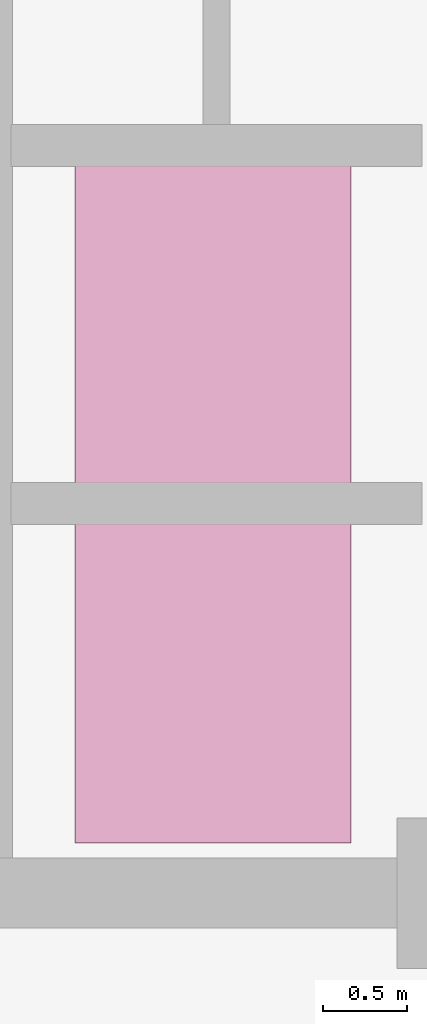
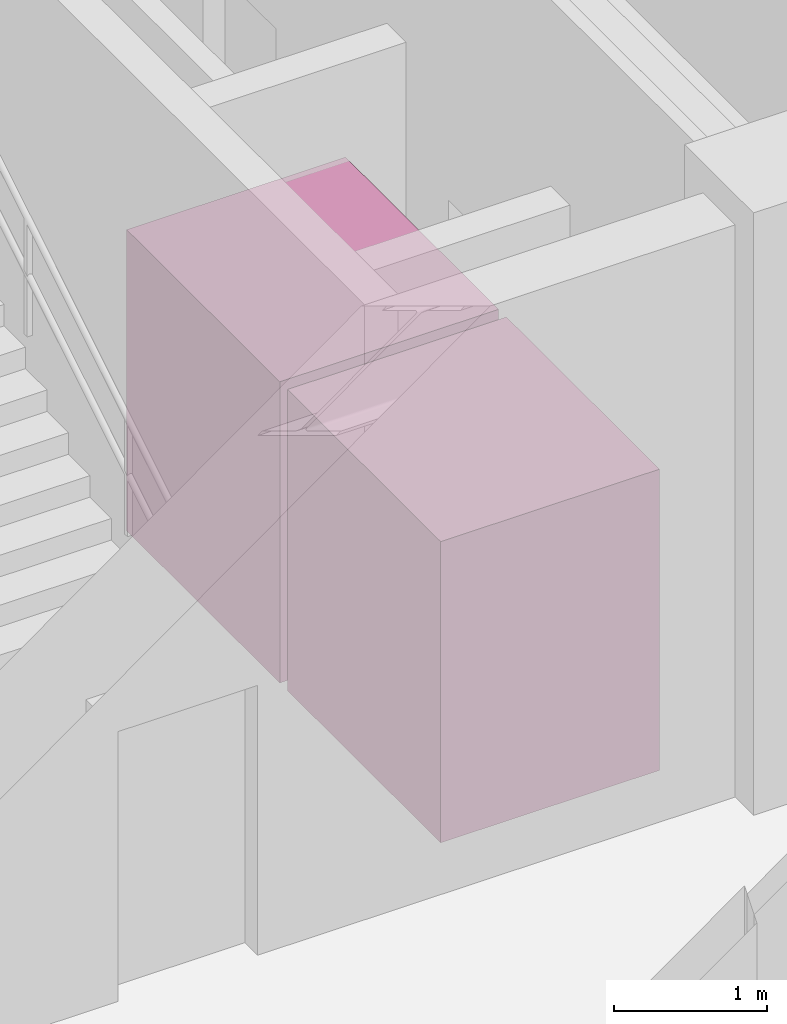
# One storey, part 16 of 16: 2 transport elements.
"""IFC4 building model written with IfcOpenShell, lengths in metres."""

from ifc_helpers import new_model, entity, si_unit, converted_unit, direction, frame, origin_with_axes, origin_2d_with_axis, place, context, subcontext, project, spatial, rectangle, extrude, material, type_object, element, save


model = new_model("IFC4")

# Units and contexts
model_context = context("Model", 3, precision=1e-05, world=origin_with_axes(), true_north=direction((0.0, 1.0)))
body_context = subcontext(model_context, "Body", "Model", "MODEL_VIEW")
ifc_project = project(units=[si_unit("LENGTHUNIT", "METRE"), si_unit("AREAUNIT", "SQUARE_METRE"), si_unit("VOLUMEUNIT", "CUBIC_METRE"), converted_unit("PLANEANGLEUNIT", "DEGREE", entity("IfcPlaneAngleMeasure", 0.017453292519943295), si_unit("PLANEANGLEUNIT", "RADIAN"), dimensions=[0, 0, 0, 0, 0, 0, 0]), si_unit("MASSUNIT", "GRAM", prefix="KILO"), si_unit("THERMODYNAMICTEMPERATUREUNIT", "KELVIN")], contexts=[model_context])

# Site, building, storey
site_placement = place(None, origin_with_axes())
site = spatial("IfcSite", under=ifc_project, at=site_placement, CompositionType="ELEMENT")
building_placement = place(site_placement, origin_with_axes())
building = spatial("IfcBuilding", under=site, at=building_placement, Name="Varnlund Millrace Tower", CompositionType="ELEMENT")
storey_placement = place(building_placement, frame((0.0, 0.0, 219.9), z_axis=(0.0, 0.0, 1.0), x_axis=(1.0, 0.0, 0.0)))
storey = spatial("IfcBuildingStorey", under=building, at=storey_placement, Name="L54", CompositionType="ELEMENT", Elevation=219.9)

# Transport elements
ifc_material = material(Name="Stainless steel and architectural bronze elevator cab", Category="steel")
transport_element_type = type_object("IfcTransportElementType", Name="Type-Lift-Passenger-2000X1650", PredefinedType="ELEVATOR", material=ifc_material)
for number, where, z_axis, x_axis, name in (
    (1, (17.05, 12.1, 0.0), (0.0, 0.0, 1.0), (1.0, 0.0, 0.0), "Passenger Lift ELV-H1 (Bank 3)"),
    (2, (17.05, 14.2, 0.0), (0.0, 0.0, 1.0), (1.0, 0.0, 0.0), "Passenger Lift ELV-H2 (Bank 3)"),
):
    element("IfcTransportElement", number, at=place(storey_placement, frame(where, z_axis=z_axis, x_axis=x_axis)), inside=storey, type_object=transport_element_type, Name=name, PredefinedType="ELEVATOR", context=body_context, shape_type="SweptSolid", body=[
        extrude(rectangle(XDim=1.65, YDim=2.0, at=origin_2d_with_axis()), origin_with_axes(), (0.0, 0.0, 1.0), 2.4),
    ])

save(model, "model.ifc")
